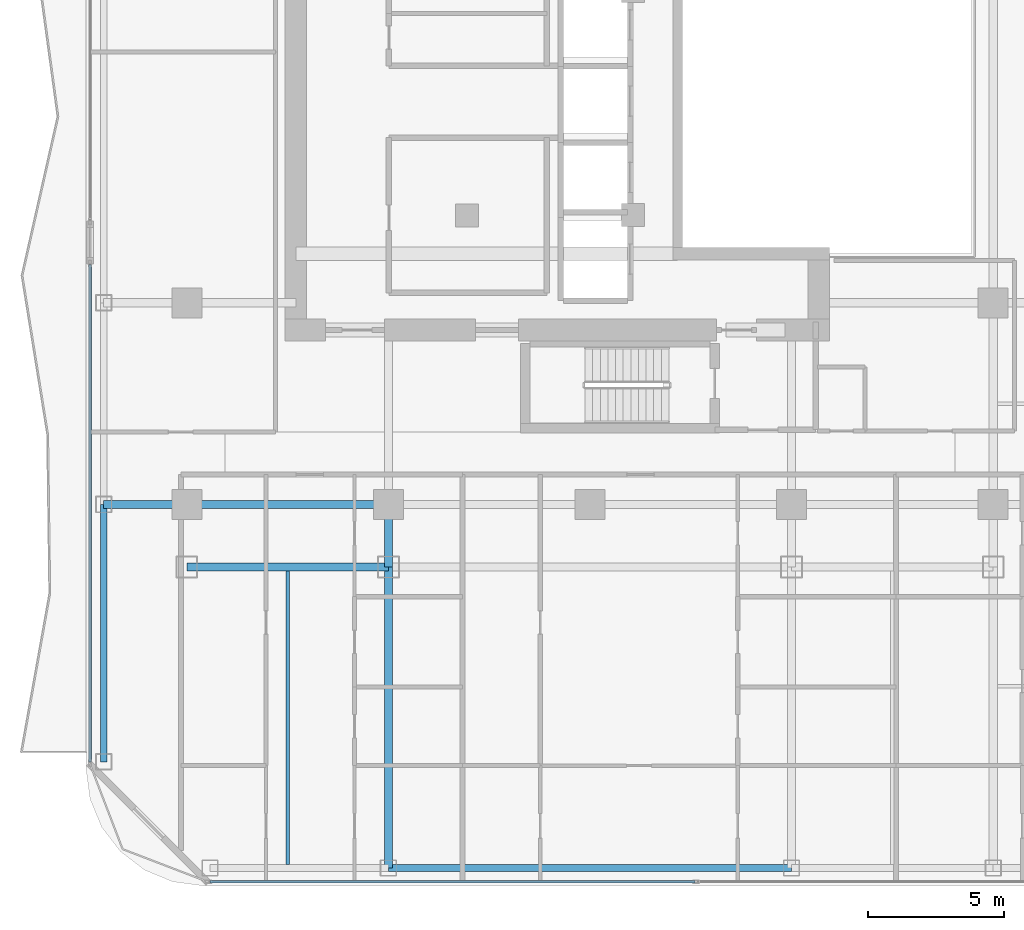
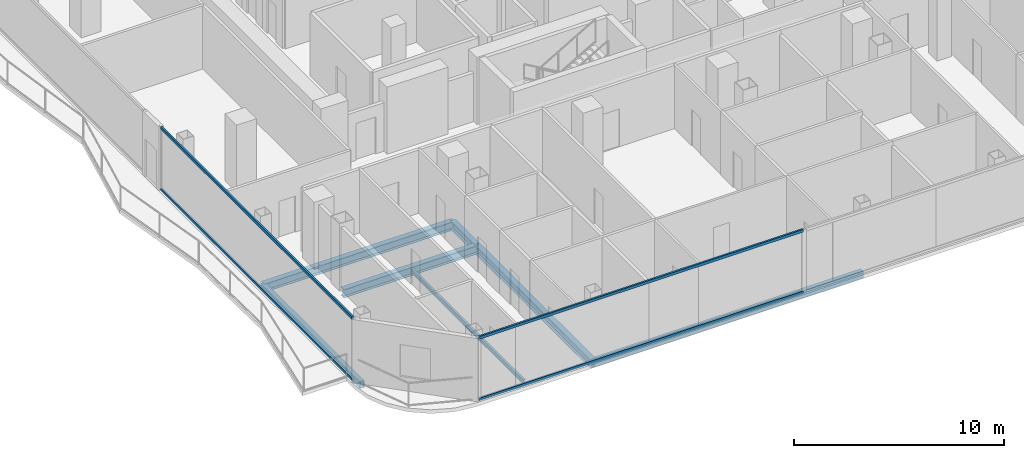
# One storey, part 3 of 27: 8 beams, 4 members, 2 elements without a shape of their own.
"""IFC4 building model written with IfcOpenShell, lengths in metres."""

from ifc_helpers import new_model, si_unit, direction, frame, origin, origin_2d, place, context, subcontext, project, spatial, hollow_rectangle, i_section, extrude, material, layer, layer_set, material_profile, profile_set, type_object, element, aggregate, save


model = new_model("IFC4")

# Units and contexts
model_context = context("Model", 3, precision=1e-05, world=origin(), true_north=direction((0.0, 1.0)))
body_context = subcontext(model_context, "Body", "Model", "MODEL_VIEW")
ifc_project = project(units=[si_unit("LENGTHUNIT", "METRE"), si_unit("AREAUNIT", "SQUARE_METRE"), si_unit("VOLUMEUNIT", "CUBIC_METRE"), si_unit("PLANEANGLEUNIT", "RADIAN"), si_unit("MASSUNIT", "GRAM", prefix="KILO")], contexts=[model_context])

# Site, building, storey
site_placement = place(None, origin())
site = spatial("IfcSite", under=ifc_project, at=site_placement, CompositionType="ELEMENT")
building_placement = place(site_placement, origin())
building = spatial("IfcBuilding", under=site, at=building_placement, Name="Khorvyn Point Tower", CompositionType="ELEMENT")
storey_placement = place(building_placement, frame((0.0, 0.0, 227.39990234375)))
storey = spatial("IfcBuildingStorey", under=building, at=storey_placement, Name="L56", CompositionType="ELEMENT", Elevation=227.39990234375)

# Curtain wall, members
ifc_material_1 = material(Name="Anodised aluminium 6063-T6 and laminated Low-E glass", Category="aluminium")
ifc_layer = layer(ifc_material_1, 0.18994140625)
ifc_layer_set = layer_set([ifc_layer], Name="Stick-Built Acoustic Curtain Wall CW-SYS-03")
curtain_wall_type = type_object("IfcCurtainWallType", Name="Stick-Built Acoustic Curtain Wall CW-SYS-03", PredefinedType="NOTDEFINED", material=ifc_layer_set)
curtain_wall_1_placement = place(storey_placement, origin())
curtain_wall_1 = element("IfcCurtainWall", 1, at=curtain_wall_1_placement, inside=storey, type_object=curtain_wall_type, Name="Curtain Wall", PredefinedType="NOTDEFINED")
ifc_material_2 = material(Name="Anodised aluminium 6063-T6", Category="aluminium")
ifc_material_profile_1 = material_profile(ifc_material_2, hollow_rectangle(XDim=0.10009765625, YDim=0.159912109375, WallThickness=0.00439453125, at=origin_2d()))
ifc_profile_set_1 = profile_set([ifc_material_profile_1], Name="Anodised aluminium 6063-T6 ALU-TRN-100x160")
member_type = type_object("IfcMemberType", Name="Anodised Aluminium 6063-T6 Transom ALU-TRN-100x160", PredefinedType="USERDEFINED", material=ifc_profile_set_1)
member_1_placement = place(storey_placement, frame((3.85009765625, -28.64990234375, 0.050048828125), z_axis=(-1.0, 0.0, 0.0), x_axis=(0.0, -1.0, 0.0)))
member_1 = element("IfcMember", 2, at=member_1_placement, type_object=member_type, Name="Transom", ObjectType="TRANSOM", PredefinedType="USERDEFINED", context=body_context, shape_type="SweptSolid", body=[
    extrude(hollow_rectangle(XDim=0.10009765625, YDim=0.159912109375, WallThickness=0.00439453125, at=origin_2d()), origin(), (0.0, 0.0, 1.0), 17.800048828125),
])
member_2_placement = place(storey_placement, frame((3.85009765625, -28.64990234375, 3.630126953125), z_axis=(-1.0, 0.0, 0.0), x_axis=(0.0, -1.0, 0.0)))
member_2 = element("IfcMember", 3, at=member_2_placement, type_object=member_type, Name="Transom", ObjectType="TRANSOM", PredefinedType="USERDEFINED", context=body_context, shape_type="SweptSolid", body=[
    extrude(hollow_rectangle(XDim=0.10009765625, YDim=0.159912109375, WallThickness=0.00439453125, at=origin_2d()), origin(), (0.0, 0.0, 1.0), 17.800048828125),
])
aggregate(curtain_wall_1, [member_1, member_2])

curtain_wall_2_placement = place(storey_placement, origin())
curtain_wall_2 = element("IfcCurtainWall", 4, at=curtain_wall_2_placement, inside=storey, type_object=curtain_wall_type, Name="Curtain Wall", PredefinedType="NOTDEFINED")
member_3_placement = place(storey_placement, frame((-18.35009765625, -24.25, 0.050048828125), z_axis=(0.0, 1.0, 0.0), x_axis=(-1.0, 0.0, 0.0)))
member_3 = element("IfcMember", 5, at=member_3_placement, type_object=member_type, Name="Transom", ObjectType="TRANSOM", PredefinedType="USERDEFINED", context=body_context, shape_type="SweptSolid", body=[
    extrude(hollow_rectangle(XDim=0.10009765625, YDim=0.159912109375, WallThickness=0.00439453125, at=origin_2d()), origin(), (0.0, 0.0, 1.0), 18.25),
])
member_4_placement = place(storey_placement, frame((-18.35009765625, -24.25, 3.630126953125), z_axis=(0.0, 1.0, 0.0), x_axis=(-1.0, 0.0, 0.0)))
member_4 = element("IfcMember", 6, at=member_4_placement, type_object=member_type, Name="Transom", ObjectType="TRANSOM", PredefinedType="USERDEFINED", context=body_context, shape_type="SweptSolid", body=[
    extrude(hollow_rectangle(XDim=0.10009765625, YDim=0.159912109375, WallThickness=0.00439453125, at=origin_2d()), origin(), (0.0, 0.0, 1.0), 18.25),
])
aggregate(curtain_wall_2, [member_3, member_4])

# Beams
ifc_material_3 = material(Name="Steel S355", Category="steel")
ifc_material_profile_2 = material_profile(ifc_material_3, i_section(OverallWidth=0.125, OverallDepth=0.25, WebThickness=0.006103515625, FlangeThickness=0.009033203125, at=origin_2d()))
ifc_profile_set_2 = profile_set([ifc_material_profile_2], Name="Steel S355 H250x125x6x9")
beam_type_1 = type_object("IfcBeamType", Name="Steel S355 Joist H250x125x6x9", PredefinedType="JOIST", material=ifc_profile_set_2)
beam_1_placement = place(storey_placement, frame((-11.10009765625, -28.02490234375, -0.344970703125), z_axis=(0.0, 1.0, 0.0), x_axis=(-1.0, 0.0, 0.0)))
element("IfcBeam", 7, at=beam_1_placement, inside=storey, type_object=beam_type_1, Name="Beam", PredefinedType="JOIST", context=body_context, shape_type="SweptSolid", body=[
    extrude(i_section(OverallWidth=0.125, OverallDepth=0.25, WebThickness=0.006103515625, FlangeThickness=0.009033203125, at=origin_2d()), origin(), (0.0, 0.0, 1.0), 10.77490234375),
])
ifc_material_profile_3 = material_profile(ifc_material_3, i_section(OverallWidth=0.300048828125, OverallDepth=0.488037109375, WebThickness=0.010986328125, FlangeThickness=0.01806640625, at=origin_2d()))
ifc_profile_set_3 = profile_set([ifc_material_profile_3], Name="Steel S355 H488x300x11x18")
beam_type_2 = type_object("IfcBeamType", Name="Steel S355 Spandrel H488x300x11x18", PredefinedType="SPANDREL", material=ifc_profile_set_3)
beam_2_placement = place(storey_placement, frame((-17.85009765625, -14.800048828125, -0.4638671875), z_axis=(1.0, 0.0, 0.0), x_axis=(0.0, 1.0, 0.0)))
element("IfcBeam", 8, at=beam_2_placement, inside=storey, type_object=beam_type_2, Name="Beam", PredefinedType="SPANDREL", context=body_context, shape_type="SweptSolid", body=[
    extrude(i_section(OverallWidth=0.300048828125, OverallDepth=0.488037109375, WebThickness=0.010986328125, FlangeThickness=0.01806640625, at=origin_2d()), origin(), (0.0, 0.0, 1.0), 3.050048828125),
])
for number, where, z_axis, x_axis, name in (
    (9, (-14.800048828125, -14.800048828125, -0.4638671875), (1.0, 0.0, 0.0), (0.0, 1.0, 0.0), "Beam"),
    (10, (-14.800048828125, -17.10009765625, -0.4638671875), (1.0, 0.0, 0.0), (0.0, 1.0, 0.0), "Beam"),
):
    element("IfcBeam", number, at=place(storey_placement, frame(where, z_axis=z_axis, x_axis=x_axis)), inside=storey, type_object=beam_type_2, Name=name, PredefinedType="SPANDREL", context=body_context, shape_type="SweptSolid", body=[
        extrude(i_section(OverallWidth=0.300048828125, OverallDepth=0.488037109375, WebThickness=0.010986328125, FlangeThickness=0.01806640625, at=origin_2d()), origin(), (0.0, 0.0, 1.0), 7.400146484375),
    ])
beam_3_placement = place(storey_placement, frame((-7.39990234375, -28.14990234375, -0.4638671875), z_axis=(0.0, 1.0, 0.0), x_axis=(-1.0, 0.0, 0.0)))
element("IfcBeam", 11, at=beam_3_placement, inside=storey, type_object=beam_type_2, Name="Beam", PredefinedType="SPANDREL", context=body_context, shape_type="SweptSolid", body=[
    extrude(i_section(OverallWidth=0.300048828125, OverallDepth=0.488037109375, WebThickness=0.010986328125, FlangeThickness=0.01806640625, at=origin_2d()), origin(), (0.0, 0.0, 1.0), 11.0498046875),
])
beam_4_placement = place(storey_placement, frame((-7.39990234375, -17.10009765625, -0.4638671875), z_axis=(0.0, 1.0, 0.0), x_axis=(-1.0, 0.0, 0.0)))
element("IfcBeam", 12, at=beam_4_placement, inside=storey, type_object=beam_type_2, Name="Beam", PredefinedType="SPANDREL", context=body_context, shape_type="SweptSolid", body=[
    extrude(i_section(OverallWidth=0.300048828125, OverallDepth=0.488037109375, WebThickness=0.010986328125, FlangeThickness=0.01806640625, at=origin_2d()), origin(), (0.0, 0.0, 1.0), 2.300048828125),
])
ifc_material_profile_4 = material_profile(ifc_material_3, hollow_rectangle(XDim=0.25, YDim=0.39990234375, WallThickness=0.01611328125, at=origin_2d()))
ifc_profile_set_4 = profile_set([ifc_material_profile_4], Name="Steel S355 RHS400x250x16")
beam_type_3 = type_object("IfcBeamType", Name="Steel S355 Spandrel RHS400x250x16", PredefinedType="SPANDREL", material=ifc_profile_set_4)
beam_5_placement = place(storey_placement, frame((-7.39990234375, -28.14990234375, -0.419921875), z_axis=(1.0, 0.0, 0.0), x_axis=(0.0, 1.0, 0.0)))
element("IfcBeam", 13, at=beam_5_placement, inside=storey, type_object=beam_type_3, Name="Beam", PredefinedType="SPANDREL", context=body_context, shape_type="SweptSolid", body=[
    extrude(hollow_rectangle(XDim=0.25, YDim=0.39990234375, WallThickness=0.01611328125, at=origin_2d()), origin(), (0.0, 0.0, 1.0), 14.7998046875),
])
beam_6_placement = place(storey_placement, frame((-17.85009765625, -24.25, -0.419921875), z_axis=(0.0, 1.0, 0.0), x_axis=(-1.0, 0.0, 0.0)))
element("IfcBeam", 14, at=beam_6_placement, inside=storey, type_object=beam_type_3, Name="Beam", PredefinedType="SPANDREL", context=body_context, shape_type="SweptSolid", body=[
    extrude(hollow_rectangle(XDim=0.25, YDim=0.39990234375, WallThickness=0.01611328125, at=origin_2d()), origin(), (0.0, 0.0, 1.0), 9.449951171875),
])

save(model, "model.ifc")
